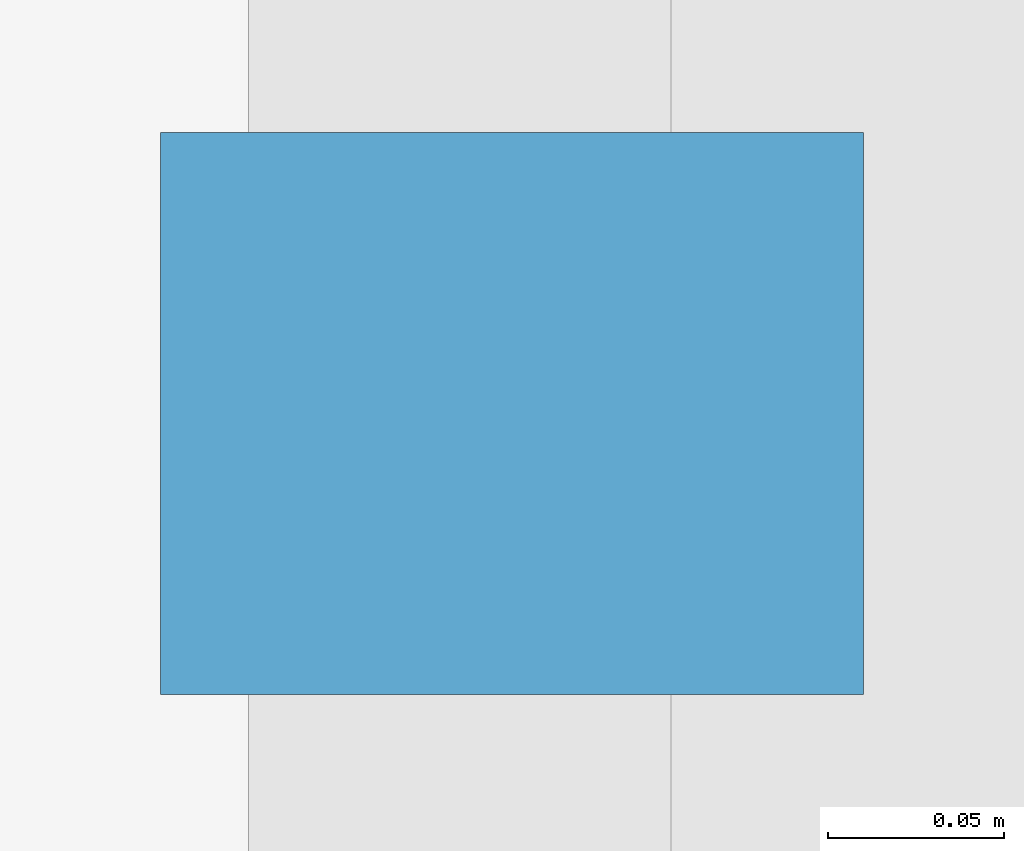
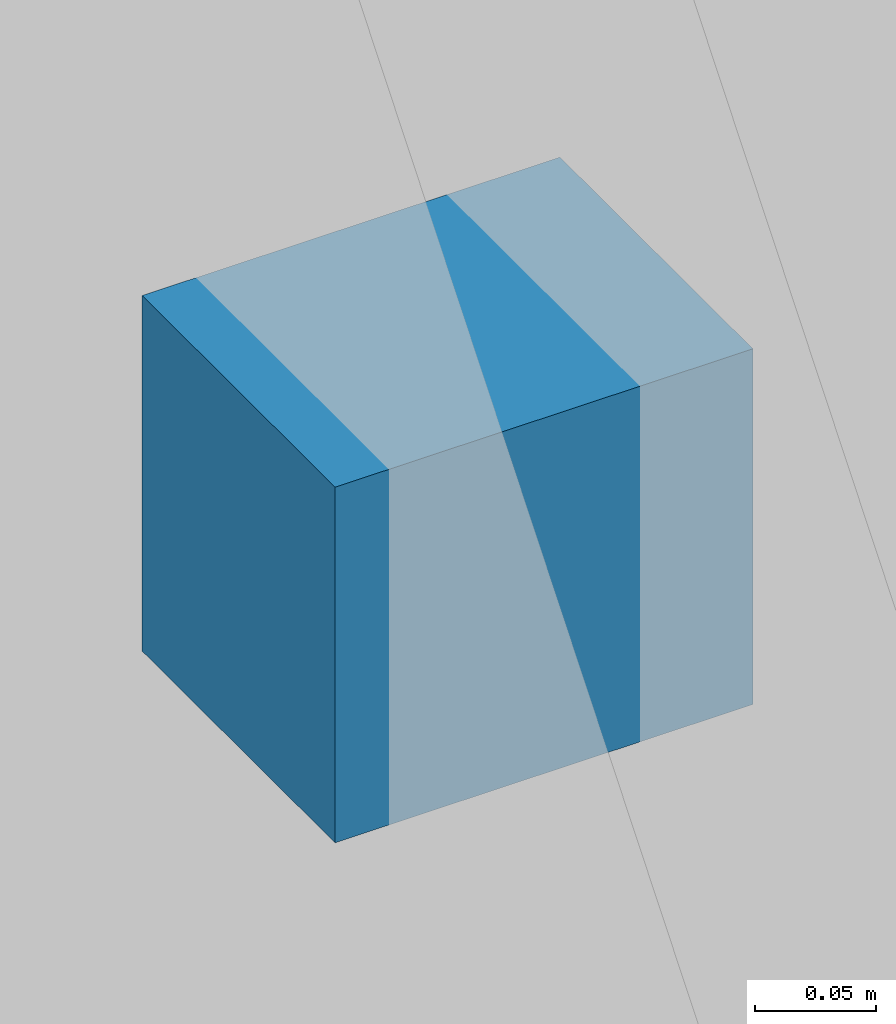
# One storey, part 14 of 18: 1 discrete accessory.
"""IFC4 building model written with IfcOpenShell, lengths in metres."""

from ifc_helpers import new_model, si_unit, direction, frame, origin, origin_2d, place, context, subcontext, project, spatial, rectangle, extrude, material, type_object, element, save


model = new_model("IFC4")

# Units and contexts
model_context = context("Model", 3, precision=1e-05, world=origin(), true_north=direction((0.0, 1.0)))
body_context = subcontext(model_context, "Body", "Model", "MODEL_VIEW")
ifc_project = project(units=[si_unit("LENGTHUNIT", "METRE"), si_unit("AREAUNIT", "SQUARE_METRE"), si_unit("VOLUMEUNIT", "CUBIC_METRE"), si_unit("PLANEANGLEUNIT", "RADIAN"), si_unit("MASSUNIT", "GRAM", prefix="KILO")], contexts=[model_context])

# Site, building, storey
site_placement = place(None, origin())
site = spatial("IfcSite", under=ifc_project, at=site_placement, CompositionType="ELEMENT")
building_placement = place(site_placement, origin())
building = spatial("IfcBuilding", under=site, at=building_placement, Name="Koriwani Terraces Tower", CompositionType="ELEMENT")
storey_placement = place(building_placement, frame((0.0, 0.0, 107.60009765625)))
storey = spatial("IfcBuildingStorey", under=building, at=storey_placement, Name="L25", CompositionType="ELEMENT", Elevation=107.60009765625)

# Discrete accessory
ifc_material = material(Name="Steel ASTM A572 Grade 50", Category="steel")
discrete_accessory_type = type_object("IfcDiscreteAccessoryType", Name="BAGUETTE_STANDOFF_BRACKET", PredefinedType="BRACKET", material=ifc_material)
discrete_accessory_placement = place(storey_placement, frame((33.2099609375, 71.39990234375, 1.68505859375), z_axis=(0.0, 0.0, 1.0), x_axis=(0.0, -1.0, 0.0)))
element("IfcDiscreteAccessory", 1, at=discrete_accessory_placement, inside=storey, type_object=discrete_accessory_type, Name="L25 Terracotta Baguette Bracket (NW_IN-14)", PredefinedType="BRACKET", context=body_context, shape_type="SweptSolid", body=[
    extrude(rectangle(XDim=0.159912109375, YDim=0.199951171875, at=origin_2d()), origin(), (0.0, 0.0, 1.0), 0.179931640625),
])

save(model, "model.ifc")
